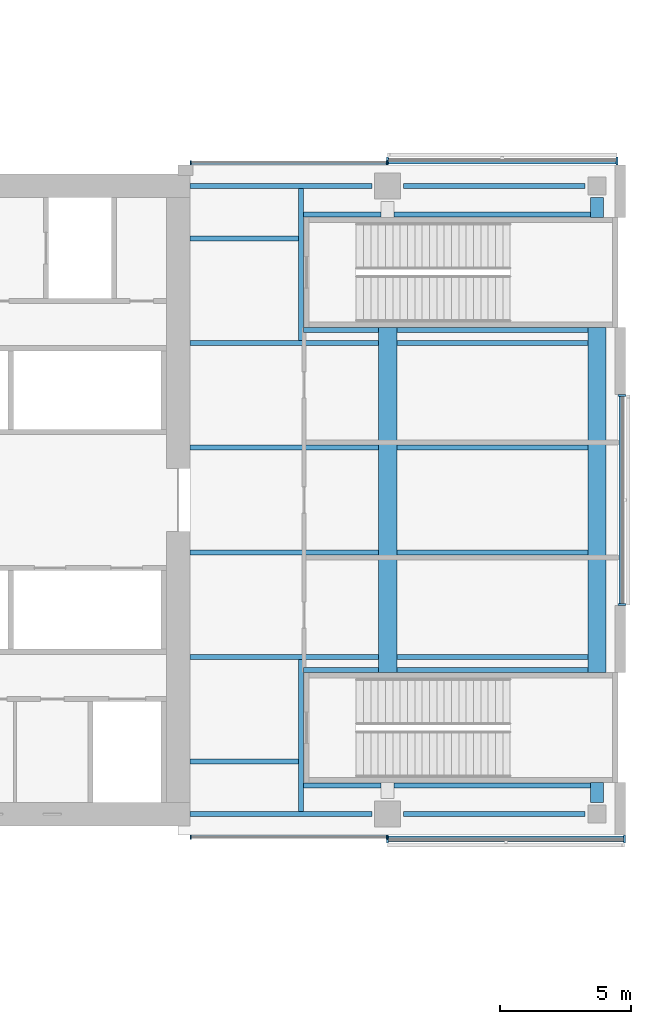
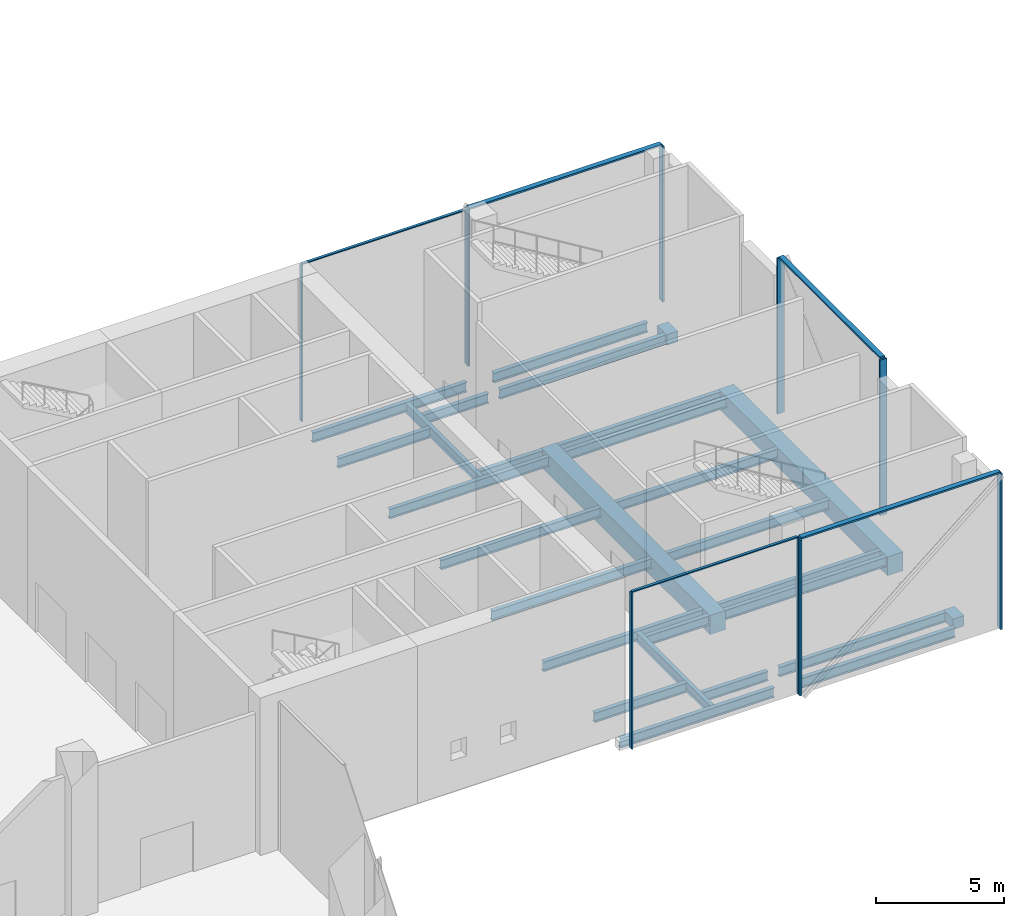
# One storey, part 7 of 25: 28 beams, 15 members, 5 elements without a shape of their own.
"""IFC4 building model written with IfcOpenShell, lengths in metres."""

from ifc_helpers import new_model, si_unit, direction, frame, origin, origin_2d, place, context, subcontext, project, spatial, rectangle, i_section, extrude, material, material_profile, profile_set, type_object, element, aggregate, save


model = new_model("IFC4")

# Units and contexts
model_context = context("Model", 3, precision=1e-05, world=origin(), true_north=direction((0.0, 1.0)))
body_context = subcontext(model_context, "Body", "Model", "MODEL_VIEW")
ifc_project = project(units=[si_unit("LENGTHUNIT", "METRE"), si_unit("AREAUNIT", "SQUARE_METRE"), si_unit("VOLUMEUNIT", "CUBIC_METRE"), si_unit("PLANEANGLEUNIT", "RADIAN"), si_unit("MASSUNIT", "GRAM", prefix="KILO")], contexts=[model_context])

# Site, building, storey
site_placement = place(None, origin())
site = spatial("IfcSite", under=ifc_project, at=site_placement, CompositionType="ELEMENT")
building_placement = place(site_placement, origin())
building = spatial("IfcBuilding", under=site, at=building_placement, Name="Crosswind Convention Tower", CompositionType="ELEMENT")
storey_placement = place(building_placement, frame((0.0, 0.0, 10.0)))
storey = spatial("IfcBuildingStorey", under=building, at=storey_placement, Name="L01", CompositionType="ELEMENT", Elevation=10.0)

# Beams
ifc_material_1 = material(Name="Steel S355", Category="steel")
ifc_material_profile_1 = material_profile(ifc_material_1, i_section(OverallWidth=0.19287109375, OverallDepth=0.467529296875, WebThickness=0.011474609375, FlangeThickness=0.01953125, FilletRadius=0.01025390625, at=origin_2d()), Name="UB 457x191x98")
ifc_profile_set_1 = profile_set([ifc_material_profile_1], Name="Steel S355")
beam_type_1 = type_object("IfcBeamType", Name="Edge beam UB 457x191x98", PredefinedType="SPANDREL", material=ifc_profile_set_1)
for number, where, z_axis, x_axis, name in (
    (1, (153.449951171875, 88.0, -0.6337890625), (1.0, 0.0, 0.0), (0.0, 1.0, 0.0), "B20 L01 edge beam 21"),
    (2, (153.449951171875, 112.0, -0.6337890625), (1.0, 0.0, 0.0), (0.0, 1.0, 0.0), "B20 L01 edge beam 22"),
    (3, (161.60009765625, 88.0, -0.6337890625), (1.0, 0.0, 0.0), (0.0, 1.0, 0.0), "B20 L01 edge beam 23"),
    (4, (161.60009765625, 112.0, -0.6337890625), (1.0, 0.0, 0.0), (0.0, 1.0, 0.0), "B20 L01 edge beam 24"),
):
    element("IfcBeam", number, at=place(storey_placement, frame(where, z_axis=z_axis, x_axis=x_axis)), inside=storey, type_object=beam_type_1, Name=name, PredefinedType="SPANDREL", context=body_context, shape_type="SweptSolid", body=[
        extrude(i_section(OverallWidth=0.19287109375, OverallDepth=0.467529296875, WebThickness=0.011474609375, FlangeThickness=0.01953125, FilletRadius=0.01025390625, at=origin_2d()), origin(), (0.0, 0.0, 1.0), 6.949951171875),
    ])

# Curtain wall, members
ifc_material_2 = material(Name="Aluminium unitised curtain wall", Category="aluminium")
curtain_wall_type_1 = type_object("IfcCurtainWallType", Name="CORE END SLOT WALL 160", PredefinedType="USERDEFINED", material=ifc_material_2)
curtain_wall_1_placement = place(storey_placement, origin())
curtain_wall_1 = element("IfcCurtainWall", 5, at=curtain_wall_1_placement, inside=storey, type_object=curtain_wall_type_1, Name="CW6 L01 E-N.1-2 slot", ObjectType="UNITISED", PredefinedType="USERDEFINED")
ifc_material_3 = material(Name="Aluminium mullion", Category="aluminium")
ifc_material_profile_2 = material_profile(ifc_material_3, rectangle(XDim=0.159912109375, YDim=0.050048828125, at=origin_2d()), Name="AL 160X50")
ifc_profile_set_2 = profile_set([ifc_material_profile_2], Name="Aluminium mullion")
member_type_1 = type_object("IfcMemberType", Name="MULLION 50X160", PredefinedType="MULLION", material=ifc_profile_set_2)
member_1_placement = place(storey_placement, frame((160.97509765625, 112.8798828125, -0.39990234375), z_axis=(0.0, 0.0, 1.0), x_axis=(0.0, 1.0, 0.0)))
member_1 = element("IfcMember", 6, at=member_1_placement, type_object=member_type_1, Name="CW6 mullion 1", PredefinedType="MULLION", context=body_context, shape_type="SweptSolid", body=[
    extrude(rectangle(XDim=0.159912109375, YDim=0.050048828125, at=origin_2d()), origin(), (0.0, 0.0, 1.0), 7.449951171875),
])
member_2_placement = place(storey_placement, frame((153.47509765625, 112.8798828125, -0.39990234375), z_axis=(0.0, 0.0, 1.0), x_axis=(0.0, 1.0, 0.0)))
member_2 = element("IfcMember", 7, at=member_2_placement, type_object=member_type_1, Name="CW6 mullion 2", PredefinedType="MULLION", context=body_context, shape_type="SweptSolid", body=[
    extrude(rectangle(XDim=0.159912109375, YDim=0.050048828125, at=origin_2d()), origin(), (0.0, 0.0, 1.0), 7.449951171875),
])

curtain_wall_2_placement = place(storey_placement, origin())
curtain_wall_2 = element("IfcCurtainWall", 8, at=curtain_wall_2_placement, inside=storey, type_object=curtain_wall_type_1, Name="CW6 L01 E-S.2-1 slot", ObjectType="UNITISED", PredefinedType="USERDEFINED")
member_3_placement = place(storey_placement, frame((153.47509765625, 87.1201171875, -0.39990234375), z_axis=(0.0, 0.0, 1.0), x_axis=(0.0, -1.0, 0.0)))
member_3 = element("IfcMember", 9, at=member_3_placement, type_object=member_type_1, Name="CW6 mullion 1", PredefinedType="MULLION", context=body_context, shape_type="SweptSolid", body=[
    extrude(rectangle(XDim=0.159912109375, YDim=0.050048828125, at=origin_2d()), origin(), (0.0, 0.0, 1.0), 7.449951171875),
])
member_4_placement = place(storey_placement, frame((160.97509765625, 87.1201171875, -0.39990234375), z_axis=(0.0, 0.0, 1.0), x_axis=(0.0, -1.0, 0.0)))
member_4 = element("IfcMember", 10, at=member_4_placement, type_object=member_type_1, Name="CW6 mullion 2", PredefinedType="MULLION", context=body_context, shape_type="SweptSolid", body=[
    extrude(rectangle(XDim=0.159912109375, YDim=0.050048828125, at=origin_2d()), origin(), (0.0, 0.0, 1.0), 7.449951171875),
])

curtain_wall_type_2 = type_object("IfcCurtainWallType", Name="PODIUM UNITISED WALL 300", PredefinedType="USERDEFINED", material=ifc_material_2)
curtain_wall_3_placement = place(storey_placement, origin())
curtain_wall_3 = element("IfcCurtainWall", 11, at=curtain_wall_3_placement, inside=storey, type_object=curtain_wall_type_2, Name="CW1 L01 E-TIP 1", ObjectType="UNITISED", PredefinedType="USERDEFINED")
ifc_material_profile_3 = material_profile(ifc_material_3, rectangle(XDim=0.300048828125, YDim=0.080078125, at=origin_2d()), Name="AL 300X80")
ifc_profile_set_3 = profile_set([ifc_material_profile_3], Name="Aluminium mullion")
member_type_2 = type_object("IfcMemberType", Name="MULLION 80X300", PredefinedType="MULLION", material=ifc_profile_set_3)
member_5_placement = place(storey_placement, frame((169.949951171875, 96.0, -0.39990234375), z_axis=(0.0, 0.0, 1.0), x_axis=(1.0, 0.0, 0.0)))
member_5 = element("IfcMember", 12, at=member_5_placement, type_object=member_type_2, Name="CW1 mullion 1", PredefinedType="MULLION", context=body_context, shape_type="SweptSolid", body=[
    extrude(rectangle(XDim=0.300048828125, YDim=0.080078125, at=origin_2d()), origin(), (0.0, 0.0, 1.0), 7.419921875),
])
member_6_placement = place(storey_placement, frame((169.949951171875, 104.0, -0.39990234375), z_axis=(0.0, 0.0, 1.0), x_axis=(1.0, 0.0, 0.0)))
member_6 = element("IfcMember", 13, at=member_6_placement, type_object=member_type_2, Name="CW1 mullion 2", PredefinedType="MULLION", context=body_context, shape_type="SweptSolid", body=[
    extrude(rectangle(XDim=0.300048828125, YDim=0.080078125, at=origin_2d()), origin(), (0.0, 0.0, 1.0), 7.419921875),
])

curtain_wall_4_placement = place(storey_placement, origin())
curtain_wall_4 = element("IfcCurtainWall", 14, at=curtain_wall_4_placement, inside=storey, type_object=curtain_wall_type_2, Name="CW1 L01 E-N 1", ObjectType="UNITISED", PredefinedType="USERDEFINED")
member_7_placement = place(storey_placement, frame((169.760009765625, 112.949951171875, -0.39990234375), z_axis=(0.0, 0.0, 1.0), x_axis=(0.0, 1.0, 0.0)))
member_7 = element("IfcMember", 15, at=member_7_placement, type_object=member_type_2, Name="CW1 mullion 1", PredefinedType="MULLION", context=body_context, shape_type="SweptSolid", body=[
    extrude(rectangle(XDim=0.300048828125, YDim=0.080078125, at=origin_2d()), origin(), (0.0, 0.0, 1.0), 7.419921875),
])
member_8_placement = place(storey_placement, frame((161.0, 112.949951171875, -0.39990234375), z_axis=(0.0, 0.0, 1.0), x_axis=(0.0, 1.0, 0.0)))
member_8 = element("IfcMember", 16, at=member_8_placement, type_object=member_type_2, Name="CW1 mullion 2", PredefinedType="MULLION", context=body_context, shape_type="SweptSolid", body=[
    extrude(rectangle(XDim=0.300048828125, YDim=0.080078125, at=origin_2d()), origin(), (0.0, 0.0, 1.0), 7.419921875),
])

curtain_wall_5_placement = place(storey_placement, origin())
curtain_wall_5 = element("IfcCurtainWall", 17, at=curtain_wall_5_placement, inside=storey, type_object=curtain_wall_type_2, Name="CW1 L01 E-S 2", ObjectType="UNITISED", PredefinedType="USERDEFINED")
member_9_placement = place(storey_placement, frame((161.0, 87.050048828125, -0.39990234375), z_axis=(0.0, 0.0, 1.0), x_axis=(0.0, -1.0, 0.0)))
member_9 = element("IfcMember", 18, at=member_9_placement, type_object=member_type_2, Name="CW1 mullion 1", PredefinedType="MULLION", context=body_context, shape_type="SweptSolid", body=[
    extrude(rectangle(XDim=0.300048828125, YDim=0.080078125, at=origin_2d()), origin(), (0.0, 0.0, 1.0), 7.419921875),
])
member_10_placement = place(storey_placement, frame((170.044921875, 87.050048828125, -0.39990234375), z_axis=(0.0, 0.0, 1.0), x_axis=(0.0, -1.0, 0.0)))
member_10 = element("IfcMember", 19, at=member_10_placement, type_object=member_type_2, Name="CW1 mullion 2", PredefinedType="MULLION", context=body_context, shape_type="SweptSolid", body=[
    extrude(rectangle(XDim=0.300048828125, YDim=0.080078125, at=origin_2d()), origin(), (0.0, 0.0, 1.0), 7.419921875),
])

# Beams
ifc_material_4 = material(Name="Concrete C60/75", Category="concrete")
ifc_material_profile_4 = material_profile(ifc_material_4, rectangle(XDim=0.699951171875, YDim=0.89990234375, at=origin_2d()), Name="RC 700X900")
ifc_profile_set_4 = profile_set([ifc_material_profile_4], Name="Concrete C60/75")
beam_type_2 = type_object("IfcBeamType", Name="Prestressed concrete girder between stair walls RC 700X900", PredefinedType="BEAM", material=ifc_profile_set_4)
for number, where, z_axis, x_axis, name in (
    (20, (161.0, 93.39990234375, -0.85009765625), (0.0, 1.0, 0.0), (-1.0, 0.0, 0.0), "B41 L01 prestressed concrete girder between stair walls 7"),
    (21, (169.0, 93.39990234375, -0.85009765625), (0.0, 1.0, 0.0), (-1.0, 0.0, 0.0), "B41 L01 prestressed concrete girder between stair walls 8"),
):
    element("IfcBeam", number, at=place(storey_placement, frame(where, z_axis=z_axis, x_axis=x_axis)), inside=storey, type_object=beam_type_2, Name=name, PredefinedType="BEAM", context=body_context, shape_type="SweptSolid", body=[
        extrude(rectangle(XDim=0.699951171875, YDim=0.89990234375, at=origin_2d()), origin(), (0.0, 0.0, 1.0), 13.2001953125),
    ])
ifc_material_profile_5 = material_profile(ifc_material_1, i_section(OverallWidth=0.19140625, OverallDepth=0.460205078125, WebThickness=0.010009765625, FlangeThickness=0.01611328125, FilletRadius=0.01025390625, at=origin_2d()), Name="UB 457x191x82")
ifc_profile_set_5 = profile_set([ifc_material_profile_5], Name="Steel S355")
beam_type_3 = type_object("IfcBeamType", Name="Secondary beam UB 457x191x82", PredefinedType="JOIST", material=ifc_profile_set_5)
beam_1_placement = place(storey_placement, frame((153.449951171875, 90.0, -0.630126953125), z_axis=(1.0, 0.0, 0.0), x_axis=(0.0, 1.0, 0.0)))
element("IfcBeam", 22, at=beam_1_placement, inside=storey, type_object=beam_type_3, Name="B13 L01 secondary beam 64", PredefinedType="JOIST", context=body_context, shape_type="SweptSolid", body=[
    extrude(i_section(OverallWidth=0.19140625, OverallDepth=0.460205078125, WebThickness=0.010009765625, FlangeThickness=0.01611328125, FilletRadius=0.01025390625, at=origin_2d()), origin(), (0.0, 0.0, 1.0), 4.14404296875),
])
for number, where, z_axis, x_axis, name in (
    (23, (153.449951171875, 94.0, -0.630126953125), (1.0, 0.0, 0.0), (0.0, 1.0, 0.0), "B13 L01 secondary beam 65"),
    (24, (153.449951171875, 98.0, -0.630126953125), (1.0, 0.0, 0.0), (0.0, 1.0, 0.0), "B13 L01 secondary beam 66"),
    (25, (153.449951171875, 102.0, -0.630126953125), (1.0, 0.0, 0.0), (0.0, 1.0, 0.0), "B13 L01 secondary beam 67"),
    (26, (153.449951171875, 106.0, -0.630126953125), (1.0, 0.0, 0.0), (0.0, 1.0, 0.0), "B13 L01 secondary beam 68"),
):
    element("IfcBeam", number, at=place(storey_placement, frame(where, z_axis=z_axis, x_axis=x_axis)), inside=storey, type_object=beam_type_3, Name=name, PredefinedType="JOIST", context=body_context, shape_type="SweptSolid", body=[
        extrude(i_section(OverallWidth=0.19140625, OverallDepth=0.460205078125, WebThickness=0.010009765625, FlangeThickness=0.01611328125, FilletRadius=0.01025390625, at=origin_2d()), origin(), (0.0, 0.0, 1.0), 7.199951171875),
    ])
beam_2_placement = place(storey_placement, frame((153.449951171875, 110.0, -0.630126953125), z_axis=(1.0, 0.0, 0.0), x_axis=(0.0, 1.0, 0.0)))
element("IfcBeam", 27, at=beam_2_placement, inside=storey, type_object=beam_type_3, Name="B13 L01 secondary beam 69", PredefinedType="JOIST", context=body_context, shape_type="SweptSolid", body=[
    extrude(i_section(OverallWidth=0.19140625, OverallDepth=0.460205078125, WebThickness=0.010009765625, FlangeThickness=0.01611328125, FilletRadius=0.01025390625, at=origin_2d()), origin(), (0.0, 0.0, 1.0), 4.14404296875),
])
for number, where, z_axis, x_axis, name in (
    (28, (161.35009765625, 94.0, -0.630126953125), (1.0, 0.0, 0.0), (0.0, 1.0, 0.0), "B13 L01 secondary beam 70"),
    (29, (161.35009765625, 98.0, -0.630126953125), (1.0, 0.0, 0.0), (0.0, 1.0, 0.0), "B13 L01 secondary beam 71"),
    (30, (161.35009765625, 102.0, -0.630126953125), (1.0, 0.0, 0.0), (0.0, 1.0, 0.0), "B13 L01 secondary beam 72"),
    (31, (161.35009765625, 106.0, -0.630126953125), (1.0, 0.0, 0.0), (0.0, 1.0, 0.0), "B13 L01 secondary beam 73"),
):
    element("IfcBeam", number, at=place(storey_placement, frame(where, z_axis=z_axis, x_axis=x_axis)), inside=storey, type_object=beam_type_3, Name=name, PredefinedType="JOIST", context=body_context, shape_type="SweptSolid", body=[
        extrude(i_section(OverallWidth=0.19140625, OverallDepth=0.460205078125, WebThickness=0.010009765625, FlangeThickness=0.01611328125, FilletRadius=0.01025390625, at=origin_2d()), origin(), (0.0, 0.0, 1.0), 7.2998046875),
    ])
ifc_material_profile_6 = material_profile(ifc_material_4, rectangle(XDim=0.5, YDim=0.5, at=origin_2d()), Name="RC 500X500")
ifc_profile_set_6 = profile_set([ifc_material_profile_6], Name="Concrete C60/75")
beam_type_4 = type_object("IfcBeamType", Name="Slab edge tie beam RC 500X500", PredefinedType="BEAM", material=ifc_profile_set_6)
for number, where, z_axis, x_axis, name in (
    (32, (169.0, 88.449951171875, -0.64990234375), (0.0, 1.0, 0.0), (-1.0, 0.0, 0.0), "B42 L01 slab edge tie beam 15"),
    (33, (169.0, 110.800048828125, -0.64990234375), (0.0, 1.0, 0.0), (-1.0, 0.0, 0.0), "B42 L01 slab edge tie beam 16"),
):
    element("IfcBeam", number, at=place(storey_placement, frame(where, z_axis=z_axis, x_axis=x_axis)), inside=storey, type_object=beam_type_4, Name=name, PredefinedType="BEAM", context=body_context, shape_type="SweptSolid", body=[
        extrude(rectangle(XDim=0.5, YDim=0.5, at=origin_2d()), origin(), (0.0, 0.0, 1.0), 0.75),
    ])

# Member
ifc_material_5 = material(Name="Aluminium transom", Category="aluminium")
ifc_material_profile_7 = material_profile(ifc_material_5, rectangle(XDim=0.1201171875, YDim=0.050048828125, at=origin_2d()), Name="AL 120X50")
ifc_profile_set_7 = profile_set([ifc_material_profile_7], Name="Aluminium transom")
member_type_3 = type_object("IfcMemberType", Name="TRANSOM 50X120", PredefinedType="USERDEFINED", material=ifc_profile_set_7)
member_11_placement = place(storey_placement, frame((160.949951171875, 112.8798828125, 7.074951171875), z_axis=(-1.0, 0.0, 0.0), x_axis=(0.0, -1.0, 0.0)))
member_11 = element("IfcMember", 34, at=member_11_placement, type_object=member_type_3, Name="CW6 transom", ObjectType="TRANSOM", PredefinedType="USERDEFINED", context=body_context, shape_type="SweptSolid", body=[
    extrude(rectangle(XDim=0.1201171875, YDim=0.050048828125, at=origin_2d()), origin(), (0.0, 0.0, 1.0), 7.449951171875),
])

aggregate(curtain_wall_1, [member_1, member_2, member_11])

member_12_placement = place(storey_placement, frame((153.5, 87.1201171875, 7.074951171875), z_axis=(1.0, 0.0, 0.0), x_axis=(0.0, 1.0, 0.0)))
member_12 = element("IfcMember", 35, at=member_12_placement, type_object=member_type_3, Name="CW6 transom", ObjectType="TRANSOM", PredefinedType="USERDEFINED", context=body_context, shape_type="SweptSolid", body=[
    extrude(rectangle(XDim=0.1201171875, YDim=0.050048828125, at=origin_2d()), origin(), (0.0, 0.0, 1.0), 7.449951171875),
])

aggregate(curtain_wall_2, [member_3, member_4, member_12])

ifc_material_profile_8 = material_profile(ifc_material_5, rectangle(XDim=0.219970703125, YDim=0.080078125, at=origin_2d()), Name="AL 220X80")
ifc_profile_set_8 = profile_set([ifc_material_profile_8], Name="Aluminium transom")
member_type_4 = type_object("IfcMemberType", Name="TRANSOM 80X220", PredefinedType="USERDEFINED", material=ifc_profile_set_8)
member_13_placement = place(storey_placement, frame((169.949951171875, 96.0400390625, 7.06005859375), z_axis=(0.0, 1.0, 0.0), x_axis=(-1.0, 0.0, 0.0)))
member_13 = element("IfcMember", 36, at=member_13_placement, type_object=member_type_4, Name="CW1 transom", ObjectType="TRANSOM", PredefinedType="USERDEFINED", context=body_context, shape_type="SweptSolid", body=[
    extrude(rectangle(XDim=0.219970703125, YDim=0.080078125, at=origin_2d()), origin(), (0.0, 0.0, 1.0), 7.919921875),
])

aggregate(curtain_wall_3, [member_5, member_6, member_13])

member_14_placement = place(storey_placement, frame((169.719970703125, 112.949951171875, 7.06005859375), z_axis=(-1.0, 0.0, 0.0), x_axis=(0.0, -1.0, 0.0)))
member_14 = element("IfcMember", 37, at=member_14_placement, type_object=member_type_4, Name="CW1 transom", ObjectType="TRANSOM", PredefinedType="USERDEFINED", context=body_context, shape_type="SweptSolid", body=[
    extrude(rectangle(XDim=0.219970703125, YDim=0.080078125, at=origin_2d()), origin(), (0.0, 0.0, 1.0), 8.679931640625),
])

aggregate(curtain_wall_4, [member_7, member_8, member_14])

member_15_placement = place(storey_placement, frame((161.0400390625, 87.050048828125, 7.06005859375), z_axis=(1.0, 0.0, 0.0), x_axis=(0.0, 1.0, 0.0)))
member_15 = element("IfcMember", 38, at=member_15_placement, type_object=member_type_4, Name="CW1 transom", ObjectType="TRANSOM", PredefinedType="USERDEFINED", context=body_context, shape_type="SweptSolid", body=[
    extrude(rectangle(XDim=0.219970703125, YDim=0.080078125, at=origin_2d()), origin(), (0.0, 0.0, 1.0), 8.96484375),
])

aggregate(curtain_wall_5, [member_9, member_10, member_15])

# Beams
ifc_material_profile_9 = material_profile(ifc_material_1, i_section(OverallWidth=0.19189453125, OverallDepth=0.463623046875, WebThickness=0.010498046875, FlangeThickness=0.017578125, FilletRadius=0.01025390625, at=origin_2d()), Name="UB 457x191x90")
ifc_profile_set_9 = profile_set([ifc_material_profile_9], Name="Steel S355")
beam_type_5 = type_object("IfcBeamType", Name="Trimmer beam UB 457x191x90", PredefinedType="BEAM", material=ifc_profile_set_9)
for number, where, z_axis, x_axis, name in (
    (39, (157.68994140625, 88.096435546875, -0.6318359375), (0.0, 1.0, 0.0), (-1.0, 0.0, 0.0), "B33 L01 trimmer beam 31"),
    (40, (157.68994140625, 106.095703125, -0.6318359375), (0.0, 1.0, 0.0), (-1.0, 0.0, 0.0), "B33 L01 trimmer beam 32"),
):
    element("IfcBeam", number, at=place(storey_placement, frame(where, z_axis=z_axis, x_axis=x_axis)), inside=storey, type_object=beam_type_5, Name=name, PredefinedType="BEAM", context=body_context, shape_type="SweptSolid", body=[
        extrude(i_section(OverallWidth=0.19189453125, OverallDepth=0.463623046875, WebThickness=0.010498046875, FlangeThickness=0.017578125, FilletRadius=0.01025390625, at=origin_2d()), origin(), (0.0, 0.0, 1.0), 5.807861328125),
    ])
beam_3_placement = place(storey_placement, frame((157.785888671875, 89.090087890625, -0.6318359375), z_axis=(1.0, 0.0, 0.0), x_axis=(0.0, 1.0, 0.0)))
element("IfcBeam", 41, at=beam_3_placement, inside=storey, type_object=beam_type_5, Name="B33 L01 trimmer beam 33", PredefinedType="BEAM", context=body_context, shape_type="SweptSolid", body=[
    extrude(i_section(OverallWidth=0.19189453125, OverallDepth=0.463623046875, WebThickness=0.010498046875, FlangeThickness=0.017578125, FilletRadius=0.01025390625, at=origin_2d()), origin(), (0.0, 0.0, 1.0), 2.964111328125),
])
for number, where, z_axis, x_axis, name in (
    (42, (157.785888671875, 93.510009765625, -0.6318359375), (1.0, 0.0, 0.0), (0.0, 1.0, 0.0), "B33 L01 trimmer beam 34"),
    (43, (157.785888671875, 106.489990234375, -0.6318359375), (1.0, 0.0, 0.0), (0.0, 1.0, 0.0), "B33 L01 trimmer beam 35"),
):
    element("IfcBeam", number, at=place(storey_placement, frame(where, z_axis=z_axis, x_axis=x_axis)), inside=storey, type_object=beam_type_5, Name=name, PredefinedType="BEAM", context=body_context, shape_type="SweptSolid", body=[
        extrude(i_section(OverallWidth=0.19189453125, OverallDepth=0.463623046875, WebThickness=0.010498046875, FlangeThickness=0.017578125, FilletRadius=0.01025390625, at=origin_2d()), origin(), (0.0, 0.0, 1.0), 2.864013671875),
    ])
beam_4_placement = place(storey_placement, frame((157.785888671875, 110.909912109375, -0.6318359375), z_axis=(1.0, 0.0, 0.0), x_axis=(0.0, 1.0, 0.0)))
element("IfcBeam", 44, at=beam_4_placement, inside=storey, type_object=beam_type_5, Name="B33 L01 trimmer beam 36", PredefinedType="BEAM", context=body_context, shape_type="SweptSolid", body=[
    extrude(i_section(OverallWidth=0.19189453125, OverallDepth=0.463623046875, WebThickness=0.010498046875, FlangeThickness=0.017578125, FilletRadius=0.01025390625, at=origin_2d()), origin(), (0.0, 0.0, 1.0), 2.964111328125),
])
for number, where, z_axis, x_axis, name in (
    (45, (161.25, 89.090087890625, -0.6318359375), (1.0, 0.0, 0.0), (0.0, 1.0, 0.0), "B33 L01 trimmer beam 37"),
    (46, (161.25, 110.909912109375, -0.6318359375), (1.0, 0.0, 0.0), (0.0, 1.0, 0.0), "B33 L01 trimmer beam 38"),
):
    element("IfcBeam", number, at=place(storey_placement, frame(where, z_axis=z_axis, x_axis=x_axis)), inside=storey, type_object=beam_type_5, Name=name, PredefinedType="BEAM", context=body_context, shape_type="SweptSolid", body=[
        extrude(i_section(OverallWidth=0.19189453125, OverallDepth=0.463623046875, WebThickness=0.010498046875, FlangeThickness=0.017578125, FilletRadius=0.01025390625, at=origin_2d()), origin(), (0.0, 0.0, 1.0), 7.5),
    ])
for number, where, z_axis, x_axis, name in (
    (47, (161.35009765625, 93.510009765625, -0.6318359375), (1.0, 0.0, 0.0), (0.0, 1.0, 0.0), "B33 L01 trimmer beam 39"),
    (48, (161.35009765625, 106.489990234375, -0.6318359375), (1.0, 0.0, 0.0), (0.0, 1.0, 0.0), "B33 L01 trimmer beam 40"),
):
    element("IfcBeam", number, at=place(storey_placement, frame(where, z_axis=z_axis, x_axis=x_axis)), inside=storey, type_object=beam_type_5, Name=name, PredefinedType="BEAM", context=body_context, shape_type="SweptSolid", body=[
        extrude(i_section(OverallWidth=0.19189453125, OverallDepth=0.463623046875, WebThickness=0.010498046875, FlangeThickness=0.017578125, FilletRadius=0.01025390625, at=origin_2d()), origin(), (0.0, 0.0, 1.0), 7.2998046875),
    ])

save(model, "model.ifc")
